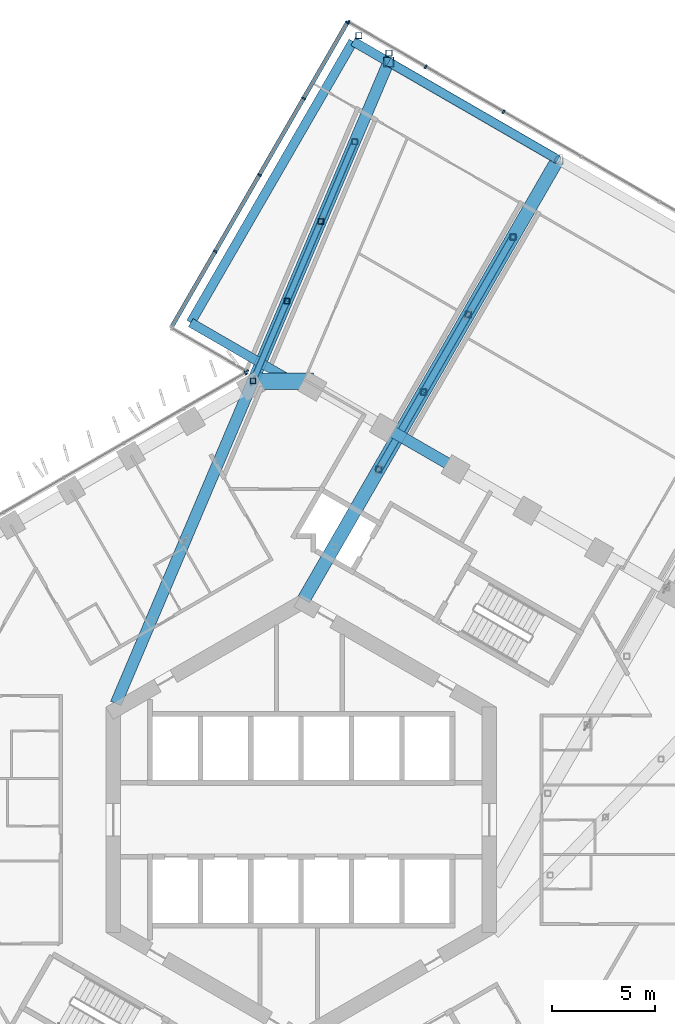
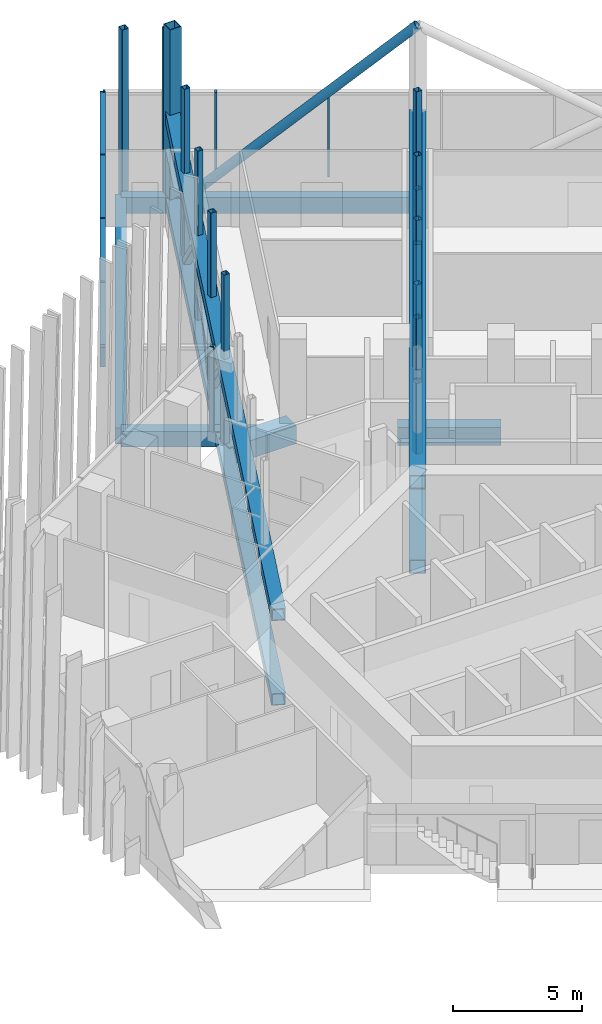
# One storey, part 8 of 31: 40 members, 6 beams, 4 elements without a shape of their own.
"""IFC4 building model written with IfcOpenShell, lengths in metres."""

from ifc_helpers import new_model, si_unit, direction, frame, origin, origin_2d, place, context, subcontext, project, spatial, rectangle, hollow_rectangle, hollow_circle, extrude, material, layer, layer_set, material_profile, profile_set, type_object, element, aggregate, save


model = new_model("IFC4")

# Units and contexts
model_context = context("Model", 3, precision=1e-05, world=origin(), true_north=direction((0.0, 1.0)))
body_context = subcontext(model_context, "Body", "Model", "MODEL_VIEW")
ifc_project = project(units=[si_unit("LENGTHUNIT", "METRE"), si_unit("AREAUNIT", "SQUARE_METRE"), si_unit("VOLUMEUNIT", "CUBIC_METRE"), si_unit("PLANEANGLEUNIT", "RADIAN"), si_unit("MASSUNIT", "GRAM", prefix="KILO")], contexts=[model_context])

# Site, building, storey
site_placement = place(None, origin())
site = spatial("IfcSite", under=ifc_project, at=site_placement, CompositionType="ELEMENT")
building_placement = place(site_placement, origin())
building = spatial("IfcBuilding", under=site, at=building_placement, Name="Ayvan Gate Tower", CompositionType="ELEMENT")
storey_placement = place(building_placement, frame((0.0, 0.0, 135.89990234375)))
storey = spatial("IfcBuildingStorey", under=building, at=storey_placement, Name="L36", CompositionType="ELEMENT", Elevation=135.89990234375)

# Beam
ifc_material_1 = material(Name="Concrete C40/50", Category="concrete")
ifc_material_profile_1 = material_profile(ifc_material_1, rectangle(XDim=0.800048828125, YDim=0.85009765625, at=origin_2d()), Name="RC 800x850")
ifc_profile_set_1 = profile_set([ifc_material_profile_1], Name="Concrete C40/50")
beam_type_1 = type_object("IfcBeamType", Name="Corner spandrel beam RC 800x850 C40/50", PredefinedType="BEAM", material=ifc_profile_set_1)
beam_1_placement = place(storey_placement, frame((0.5927734375, 21.330078125, -0.824951171875), z_axis=(-1.0, 0.0, 0.0), x_axis=(0.0, -1.0, 0.0)))
element("IfcBeam", 1, at=beam_1_placement, inside=storey, type_object=beam_type_1, Name="SB-L36-12", PredefinedType="BEAM", context=body_context, shape_type="SweptSolid", body=[
    extrude(rectangle(XDim=0.800048828125, YDim=0.85009765625, at=origin_2d()), origin(), (0.0, 0.0, 1.0), 3.0),
])

# Members
ifc_material_2 = material(Name="Steel S460NH", Category="steel")
ifc_material_profile_2 = material_profile(ifc_material_2, hollow_rectangle(XDim=0.300048828125, YDim=0.300048828125, WallThickness=0.01611328125, InnerFilletRadius=0.01611328125, OuterFilletRadius=0.02392578125, at=origin_2d()), Name="RHS 300x300x16")
ifc_profile_set_2 = profile_set([ifc_material_profile_2], Name="Steel S460NH")
member_type_1 = type_object("IfcMemberType", Name="Sky bar corner post B3 RHS 300x300x16", PredefinedType="POST", material=ifc_profile_set_2)
for number, where, z_axis, x_axis, name in (
    (2, (2.802734375, 38.154296875, -1.14990234375), (0.0, 0.0, 1.0), (1.0, 0.0, 0.0), "SBX3-C-P-1"),
    (3, (4.27490234375, 37.30419921875, -1.14990234375), (0.0, 0.0, 1.0), (1.0, 0.0, 0.0), "SBX3-C-P-2"),
):
    element("IfcMember", number, at=place(storey_placement, frame(where, z_axis=z_axis, x_axis=x_axis)), inside=storey, type_object=member_type_1, Name=name, PredefinedType="POST", context=body_context, shape_type="SweptSolid", body=[
        extrude(hollow_rectangle(XDim=0.300048828125, YDim=0.300048828125, WallThickness=0.01611328125, InnerFilletRadius=0.01611328125, OuterFilletRadius=0.02392578125, at=origin_2d()), origin(), (0.0, 0.0, 1.0), 8.375),
    ])

# Beams
ifc_material_profile_3 = material_profile(ifc_material_1, rectangle(XDim=0.449951171875, YDim=0.75, at=origin_2d()), Name="RC 450x750")
ifc_profile_set_3 = profile_set([ifc_material_profile_3], Name="Concrete C40/50")
beam_type_2 = type_object("IfcBeamType", Name="Sky bar edge beam RC 450x750 C40/50", PredefinedType="BEAM", material=ifc_profile_set_3)
beam_2_placement = place(storey_placement, frame((-0.608154296875, 21.4404296875, -0.77490234375), z_axis=(-0.866014926636, 0.500018146515, 0.0), x_axis=(-0.500018146515, -0.866014926636, 0.0)))
element("IfcBeam", 4, at=beam_2_placement, inside=storey, type_object=beam_type_2, Name="EB-B3-L36-1", PredefinedType="BEAM", context=body_context, shape_type="SweptSolid", body=[
    extrude(rectangle(XDim=0.449951171875, YDim=0.75, at=origin_2d()), origin(), (0.0, 0.0, 1.0), 5.503173828125),
])
beam_3_placement = place(storey_placement, frame((-5.3740234375, 24.192138671875, -0.77490234375), z_axis=(0.500009581873, 0.866019871617, 0.0), x_axis=(-0.866019871617, 0.500009581873, 0.0)))
element("IfcBeam", 5, at=beam_3_placement, inside=storey, type_object=beam_type_2, Name="EB-B3-L36-2", PredefinedType="BEAM", context=body_context, shape_type="SweptSolid", body=[
    extrude(rectangle(XDim=0.449951171875, YDim=0.75, at=origin_2d()), origin(), (0.0, 0.0, 1.0), 15.800048828125),
])
beam_4_placement = place(storey_placement, frame((2.526123046875, 37.875244140625, -0.77490234375), z_axis=(0.866010750942, -0.50002537861, 0.0), x_axis=(0.50002537861, 0.866010750942, 0.0)))
element("IfcBeam", 6, at=beam_4_placement, inside=storey, type_object=beam_type_2, Name="EB-B3-L36-3", PredefinedType="BEAM", context=body_context, shape_type="SweptSolid", body=[
    extrude(rectangle(XDim=0.449951171875, YDim=0.75, at=origin_2d()), origin(), (0.0, 0.0, 1.0), 2.0),
])
beam_5_placement = place(storey_placement, frame((4.258056640625, 36.875244140625, -0.77490234375), z_axis=(0.86602681393, -0.499997557548, 0.0), x_axis=(0.499997557548, 0.86602681393, 0.0)))
element("IfcBeam", 7, at=beam_5_placement, inside=storey, type_object=beam_type_2, Name="EB-B3-L36-4", PredefinedType="BEAM", context=body_context, shape_type="SweptSolid", body=[
    extrude(rectangle(XDim=0.449951171875, YDim=0.75, at=origin_2d()), origin(), (0.0, 0.0, 1.0), 9.5),
])

# Members
ifc_material_profile_4 = material_profile(ifc_material_2, hollow_rectangle(XDim=0.300048828125, YDim=0.300048828125, WallThickness=0.02001953125, InnerFilletRadius=0.02001953125, OuterFilletRadius=0.030029296875, at=origin_2d()), Name="RHS 300x300x20")
ifc_profile_set_4 = profile_set([ifc_material_profile_4], Name="Steel S460NH")
member_type_2 = type_object("IfcMemberType", Name="Sky bar end truss brace B3 RHS 300x300x20", PredefinedType="BRACE", material=ifc_profile_set_4)
member_1_placement = place(storey_placement, frame((-2.341064453125, 21.3564453125, 3.275146484375), z_axis=(0.28389403237, 0.667600467953, -0.688268692861), x_axis=(-0.92024960268, 0.391331916367, 0.0)))
element("IfcMember", 8, at=member_1_placement, inside=storey, type_object=member_type_2, Name="SBT3-4-D-5", PredefinedType="BRACE", context=body_context, shape_type="SweptSolid", body=[
    extrude(hollow_rectangle(XDim=0.300048828125, YDim=0.300048828125, WallThickness=0.02001953125, InnerFilletRadius=0.02001953125, OuterFilletRadius=0.030029296875, at=origin_2d()), origin(), (0.0, 0.0, 1.0), 5.811767578125),
])
for number, where, z_axis, x_axis, name in (
    (9, (-0.691162109375, 25.236328125, -0.724853515625), (0.283863369795, 0.667585142727, 0.688296204042), (-0.920261588777, 0.391303728863, 0.0), "SBT3-4-D-6"),
    (10, (0.95849609375, 29.115966796875, 3.275146484375), (0.283901994249, 0.66757718121, -0.688287995529), (-0.920240734136, 0.391352770832, 0.0), "SBT3-4-D-7"),
):
    element("IfcMember", number, at=place(storey_placement, frame(where, z_axis=z_axis, x_axis=x_axis)), inside=storey, type_object=member_type_2, Name=name, PredefinedType="BRACE", context=body_context, shape_type="SweptSolid", body=[
        extrude(hollow_rectangle(XDim=0.300048828125, YDim=0.300048828125, WallThickness=0.02001953125, InnerFilletRadius=0.02001953125, OuterFilletRadius=0.030029296875, at=origin_2d()), origin(), (0.0, 0.0, 1.0), 5.8115234375),
    ])
ifc_material_3 = material(Name="Steel S460ML", Category="steel")
ifc_material_profile_5 = material_profile(ifc_material_3, hollow_rectangle(XDim=0.56005859375, YDim=0.56005859375, WallThickness=0.034912109375, at=origin_2d()), Name="BOX 560x560x35")
ifc_profile_set_5 = profile_set([ifc_material_profile_5], Name="Steel S460ML")
member_type_3 = type_object("IfcMemberType", Name="Sky bar end truss chord B3 BOX 560x560x35", PredefinedType="CHORD", material=ifc_profile_set_5)
for number, where, z_axis, x_axis, name in (
    (11, (-9.015625, 5.660400390625, -0.724853515625), (0.391324744025, 0.920252652652, 0.0), (-0.920252652652, 0.391324744025, 0.0), "SBT3-4-BC-1"),
    (12, (-9.015625, 5.660400390625, 3.275146484375), (0.391324744025, 0.920252652652, 0.0), (-0.920252652652, 0.391324744025, 0.0), "SBT3-4-TC-1"),
):
    element("IfcMember", number, at=place(storey_placement, frame(where, z_axis=z_axis, x_axis=x_axis)), inside=storey, type_object=member_type_3, Name=name, PredefinedType="CHORD", context=body_context, shape_type="SweptSolid", body=[
        extrude(hollow_rectangle(XDim=0.56005859375, YDim=0.56005859375, WallThickness=0.034912109375, at=origin_2d()), origin(), (0.0, 0.0, 1.0), 33.919921875),
    ])
ifc_material_profile_6 = material_profile(ifc_material_2, hollow_rectangle(XDim=0.27001953125, YDim=0.27001953125, WallThickness=0.01611328125, InnerFilletRadius=0.01611328125, OuterFilletRadius=0.02392578125, at=origin_2d()), Name="RHS 270x270x16")
ifc_profile_set_6 = profile_set([ifc_material_profile_6], Name="Steel S460NH")
member_type_4 = type_object("IfcMemberType", Name="Sky bar end truss post B3 RHS 270x270x16", PredefinedType="POST", material=ifc_profile_set_6)
for number, where, z_axis, x_axis, name in (
    (13, (-2.341064453125, 21.3564453125, -0.39990234375), (0.0, 0.0, 1.0), (1.0, 0.0, 0.0), "SBT3-4-P-4"),
    (14, (-0.691162109375, 25.236328125, -0.39990234375), (0.0, 0.0, 1.0), (1.0, 0.0, 0.0), "SBT3-4-P-5"),
    (15, (0.95849609375, 29.115966796875, -0.39990234375), (0.0, 0.0, 1.0), (1.0, 0.0, 0.0), "SBT3-4-P-6"),
    (16, (2.6083984375, 32.99560546875, -0.39990234375), (0.0, 0.0, 1.0), (1.0, 0.0, 0.0), "SBT3-4-P-7"),
):
    element("IfcMember", number, at=place(storey_placement, frame(where, z_axis=z_axis, x_axis=x_axis)), inside=storey, type_object=member_type_4, Name=name, PredefinedType="POST", context=body_context, shape_type="SweptSolid", body=[
        extrude(hollow_rectangle(XDim=0.27001953125, YDim=0.27001953125, WallThickness=0.01611328125, InnerFilletRadius=0.01611328125, OuterFilletRadius=0.02392578125, at=origin_2d()), origin(), (0.0, 0.0, 1.0), 3.35009765625),
    ])
ifc_material_profile_7 = material_profile(ifc_material_3, hollow_rectangle(XDim=0.5, YDim=0.5, WallThickness=0.030029296875, at=origin_2d()), Name="BOX 500x500x30")
ifc_profile_set_7 = profile_set([ifc_material_profile_7], Name="Steel S460ML")
member_type_5 = type_object("IfcMemberType", Name="Sky bar end wall post BOX 500x500x30", PredefinedType="POST", material=ifc_profile_set_7)
member_2_placement = place(storey_placement, frame((4.258056640625, 36.875244140625, -1.0498046875), z_axis=(0.0, 0.0, 1.0), x_axis=(1.0, 0.0, 0.0)))
element("IfcMember", 17, at=member_2_placement, inside=storey, type_object=member_type_5, Name="EXO-B3-P4", PredefinedType="POST", context=body_context, shape_type="SweptSolid", body=[
    extrude(hollow_rectangle(XDim=0.5, YDim=0.5, WallThickness=0.030029296875, at=origin_2d()), origin(), (0.0, 0.0, 1.0), 8.64990234375),
])
ifc_material_profile_8 = material_profile(ifc_material_2, hollow_circle(Radius=0.203125, WallThickness=0.01611328125, at=origin_2d()), Name="CHS 406.4x16")
ifc_profile_set_8 = profile_set([ifc_material_profile_8], Name="Steel S460NH")
member_type_6 = type_object("IfcMemberType", Name="Sky bar exoskeleton brace CHS 406.4x16", PredefinedType="BRACE", material=ifc_profile_set_8)
member_3_placement = place(storey_placement, frame((4.258056640625, 36.875244140625, -1.0498046875), z_axis=(0.640354939408, -0.369706688659, 0.673247737417), x_axis=(0.499997557548, 0.86602681393, 0.0)))
element("IfcMember", 18, at=member_3_placement, inside=storey, type_object=member_type_6, Name="EXO-B3-D3B", PredefinedType="BRACE", context=body_context, shape_type="SweptSolid", body=[
    extrude(hollow_circle(Radius=0.203125, WallThickness=0.01611328125, at=origin_2d()), origin(), (0.0, 0.0, 1.0), 12.84814453125),
])
ifc_material_profile_9 = material_profile(ifc_material_2, hollow_rectangle(XDim=0.35009765625, YDim=0.35009765625, WallThickness=0.01611328125, InnerFilletRadius=0.01611328125, OuterFilletRadius=0.02392578125, at=origin_2d()), Name="RHS 350x350x16")
ifc_profile_set_9 = profile_set([ifc_material_profile_9], Name="Steel S460NH")
member_type_7 = type_object("IfcMemberType", Name="Sky bar truss brace B3 RHS 350x350x16", PredefinedType="BRACE", material=ifc_profile_set_9)
for number, where, z_axis, x_axis, name in (
    (19, (3.77978515625, 17.046630859375, 3.275146484375), (0.368133654755, 0.637688104451, -0.676632465729), (-0.866046423214, 0.499963591512, 0.0), "SBT3-3-D-3"),
    (20, (5.9560546875, 20.81640625, -0.724853515625), (0.368179051146, 0.637653903499, 0.676639997081), (-0.866008114662, 0.500029944444, 0.0), "SBT3-3-D-4"),
    (21, (8.132568359375, 24.5859375, 3.275146484375), (0.368133654755, 0.637688104451, -0.676632465729), (-0.866046423214, 0.499963591512, 0.0), "SBT3-3-D-5"),
):
    element("IfcMember", number, at=place(storey_placement, frame(where, z_axis=z_axis, x_axis=x_axis)), inside=storey, type_object=member_type_7, Name=name, PredefinedType="BRACE", context=body_context, shape_type="SweptSolid", body=[
        extrude(hollow_rectangle(XDim=0.35009765625, YDim=0.35009765625, WallThickness=0.01611328125, InnerFilletRadius=0.01611328125, OuterFilletRadius=0.02392578125, at=origin_2d()), origin(), (0.0, 0.0, 1.0), 5.91162109375),
    ])
ifc_material_profile_10 = material_profile(ifc_material_3, hollow_rectangle(XDim=0.64990234375, YDim=0.64990234375, WallThickness=0.0400390625, at=origin_2d()), Name="BOX 650x650x40")
ifc_profile_set_10 = profile_set([ifc_material_profile_10], Name="Steel S460ML")
member_type_8 = type_object("IfcMemberType", Name="Sky bar truss chord B3 BOX 650x650x40", PredefinedType="CHORD", material=ifc_profile_set_10)
for number, where, z_axis, x_axis, name in (
    (22, (0.12841796875, 10.722412109375, -0.724853515625), (0.500000083731, 0.866025355442, 0.0), (-0.866025355442, 0.500000083731, 0.0), "SBT3-3-BC-1"),
    (23, (0.12841796875, 10.722412109375, 3.275146484375), (0.500000083731, 0.866025355442, 0.0), (-0.866025355442, 0.500000083731, 0.0), "SBT3-3-TC-1"),
):
    element("IfcMember", number, at=place(storey_placement, frame(where, z_axis=z_axis, x_axis=x_axis)), inside=storey, type_object=member_type_8, Name=name, PredefinedType="CHORD", context=body_context, shape_type="SweptSolid", body=[
        extrude(hollow_rectangle(XDim=0.64990234375, YDim=0.64990234375, WallThickness=0.0400390625, at=origin_2d()), origin(), (0.0, 0.0, 1.0), 24.7138671875),
    ])
ifc_material_profile_11 = material_profile(ifc_material_2, hollow_rectangle(XDim=0.300048828125, YDim=0.300048828125, WallThickness=0.01611328125, InnerFilletRadius=0.01611328125, OuterFilletRadius=0.02392578125, at=origin_2d()), Name="RHS 300x300x16")
ifc_profile_set_11 = profile_set([ifc_material_profile_11], Name="Steel S460NH")
member_type_9 = type_object("IfcMemberType", Name="Sky bar truss post B3 RHS 300x300x16", PredefinedType="POST", material=ifc_profile_set_11)
for number, where, z_axis, x_axis, name in (
    (24, (3.77978515625, 17.046630859375, -0.39990234375), (0.0, 0.0, 1.0), (1.0, 0.0, 0.0), "SBT3-3-P-2"),
    (25, (5.9560546875, 20.81640625, -0.39990234375), (0.0, 0.0, 1.0), (1.0, 0.0, 0.0), "SBT3-3-P-3"),
    (26, (8.132568359375, 24.5859375, -0.39990234375), (0.0, 0.0, 1.0), (1.0, 0.0, 0.0), "SBT3-3-P-4"),
    (27, (10.308837890625, 28.355712890625, -0.39990234375), (0.0, 0.0, 1.0), (1.0, 0.0, 0.0), "SBT3-3-P-5"),
):
    element("IfcMember", number, at=place(storey_placement, frame(where, z_axis=z_axis, x_axis=x_axis)), inside=storey, type_object=member_type_9, Name=name, PredefinedType="POST", context=body_context, shape_type="SweptSolid", body=[
        extrude(hollow_rectangle(XDim=0.300048828125, YDim=0.300048828125, WallThickness=0.01611328125, InnerFilletRadius=0.01611328125, OuterFilletRadius=0.02392578125, at=origin_2d()), origin(), (0.0, 0.0, 1.0), 3.35009765625),
    ])
ifc_material_profile_12 = material_profile(ifc_material_2, hollow_rectangle(XDim=0.260009765625, YDim=0.260009765625, WallThickness=0.012451171875, InnerFilletRadius=0.012451171875, OuterFilletRadius=0.018798828125, at=origin_2d()), Name="RHS 260x260x12.5")
ifc_profile_set_12 = profile_set([ifc_material_profile_12], Name="Steel S460NH")
member_type_10 = type_object("IfcMemberType", Name="Sky bar upper post B3 RHS 260x260x12.5", PredefinedType="POST", material=ifc_profile_set_12)
for number, where, z_axis, x_axis, name in (
    (28, (3.77978515625, 17.046630859375, 3.60009765625), (0.0, 0.0, 1.0), (1.0, 0.0, 0.0), "SBT3-3-U-2"),
    (29, (5.9560546875, 20.81640625, 3.60009765625), (0.0, 0.0, 1.0), (1.0, 0.0, 0.0), "SBT3-3-U-3"),
    (30, (8.132568359375, 24.5859375, 3.60009765625), (0.0, 0.0, 1.0), (1.0, 0.0, 0.0), "SBT3-3-U-4"),
    (31, (10.308837890625, 28.355712890625, 3.60009765625), (0.0, 0.0, 1.0), (1.0, 0.0, 0.0), "SBT3-3-U-5"),
    (32, (-2.341064453125, 21.3564453125, 3.60009765625), (0.0, 0.0, 1.0), (1.0, 0.0, 0.0), "SBT3-4-U-4"),
    (33, (-0.691162109375, 25.236328125, 3.60009765625), (0.0, 0.0, 1.0), (1.0, 0.0, 0.0), "SBT3-4-U-5"),
    (34, (0.95849609375, 29.115966796875, 3.60009765625), (0.0, 0.0, 1.0), (1.0, 0.0, 0.0), "SBT3-4-U-6"),
    (35, (2.6083984375, 32.99560546875, 3.60009765625), (0.0, 0.0, 1.0), (1.0, 0.0, 0.0), "SBT3-4-U-7"),
):
    element("IfcMember", number, at=place(storey_placement, frame(where, z_axis=z_axis, x_axis=x_axis)), inside=storey, type_object=member_type_10, Name=name, PredefinedType="POST", context=body_context, shape_type="SweptSolid", body=[
        extrude(hollow_rectangle(XDim=0.260009765625, YDim=0.260009765625, WallThickness=0.012451171875, InnerFilletRadius=0.012451171875, OuterFilletRadius=0.018798828125, at=origin_2d()), origin(), (0.0, 0.0, 1.0), 4.0),
    ])

# Beam
ifc_material_profile_13 = material_profile(ifc_material_1, rectangle(XDim=0.550048828125, YDim=0.85009765625, at=origin_2d()), Name="RC 550x850")
ifc_profile_set_13 = profile_set([ifc_material_profile_13], Name="Concrete C40/50")
beam_type_3 = type_object("IfcBeamType", Name="Spandrel beam RC 550x850 C40/50", PredefinedType="BEAM", material=ifc_profile_set_13)
beam_6_placement = place(storey_placement, frame((7.5498046875, 17.093505859375, -0.824951171875), z_axis=(-0.866027683981, 0.499996050563, 0.0), x_axis=(-0.499996050563, -0.866027683981, 0.0)))
element("IfcBeam", 36, at=beam_6_placement, inside=storey, type_object=beam_type_3, Name="SB-L36-10", PredefinedType="BEAM", context=body_context, shape_type="SweptSolid", body=[
    extrude(rectangle(XDim=0.550048828125, YDim=0.85009765625, at=origin_2d()), origin(), (0.0, 0.0, 1.0), 4.0166015625),
])

# Curtain wall, member
ifc_material_4 = material(Name="Bronze anodised aluminium", Category="aluminium")
ifc_layer_1 = layer(ifc_material_4, 0.199951171875)
ifc_layer_set_1 = layer_set([ifc_layer_1], Name="Bronze anodised aluminium")
curtain_wall_type_1 = type_object("IfcCurtainWallType", Name="Stick curtain wall CW-1", PredefinedType="NOTDEFINED", material=ifc_layer_set_1)
curtain_wall_1_placement = place(storey_placement, origin())
curtain_wall_1 = element("IfcCurtainWall", 37, at=curtain_wall_1_placement, inside=storey, type_object=curtain_wall_type_1, Name="Stick curtain wall CW-1 L36", PredefinedType="NOTDEFINED")
ifc_material_profile_14 = material_profile(ifc_material_4, rectangle(XDim=0.199951171875, YDim=0.06005859375, at=origin_2d()), Name="Stick curtain wall CW-1 mullion 200 x 60")
ifc_profile_set_14 = profile_set([ifc_material_profile_14], Name="Bronze anodised aluminium")
member_type_11 = type_object("IfcMemberType", Name="Stick curtain wall CW-1 mullion 200 x 60", PredefinedType="MULLION", material=ifc_profile_set_14)
member_4_placement = place(storey_placement, frame((-2.7177734375, 21.7392578125, 0.0), z_axis=(0.0, 0.0, 1.0), x_axis=(-0.5, 0.866025403784, 0.0)))
member_4 = element("IfcMember", 38, at=member_4_placement, type_object=member_type_11, Name="CW-1 mullion 1", PredefinedType="MULLION", context=body_context, shape_type="SweptSolid", body=[
    extrude(rectangle(XDim=0.199951171875, YDim=0.06005859375, at=origin_2d()), origin(), (0.0, 0.0, 1.0), 4.0),
])
aggregate(curtain_wall_1, [member_4])

# Curtain wall, members
ifc_layer_2 = layer(ifc_material_4, 0.199951171875)
ifc_layer_set_2 = layer_set([ifc_layer_2], Name="Bronze anodised aluminium")
curtain_wall_type_2 = type_object("IfcCurtainWallType", Name="Stick curtain wall CW-4", PredefinedType="NOTDEFINED", material=ifc_layer_set_2)
curtain_wall_2_placement = place(storey_placement, origin())
curtain_wall_2 = element("IfcCurtainWall", 39, at=curtain_wall_2_placement, inside=storey, type_object=curtain_wall_type_2, Name="Stick curtain wall CW-4 L36", PredefinedType="NOTDEFINED")
ifc_material_profile_15 = material_profile(ifc_material_4, rectangle(XDim=0.199951171875, YDim=0.080078125, at=origin_2d()), Name="Stick curtain wall CW-4 mullion 200 x 80")
ifc_profile_set_15 = profile_set([ifc_material_profile_15], Name="Bronze anodised aluminium")
member_type_12 = type_object("IfcMemberType", Name="Stick curtain wall CW-4 mullion 200 x 80", PredefinedType="MULLION", material=ifc_profile_set_15)
member_5_placement = place(storey_placement, frame((9.852294921875, 34.45361328125, 0.0), z_axis=(0.0, 0.0, 1.0), x_axis=(0.5, 0.866025403784, 0.0)))
member_5 = element("IfcMember", 40, at=member_5_placement, type_object=member_type_12, Name="CW-4 mullion 8", PredefinedType="MULLION", context=body_context, shape_type="SweptSolid", body=[
    extrude(rectangle(XDim=0.199951171875, YDim=0.080078125, at=origin_2d()), origin(), (0.0, 0.0, 1.0), 4.0),
])
member_6_placement = place(storey_placement, frame((6.06103515625, 36.642578125, 0.0), z_axis=(0.0, 0.0, 1.0), x_axis=(0.5, 0.866025403784, 0.0)))
member_6 = element("IfcMember", 41, at=member_6_placement, type_object=member_type_12, Name="CW-4 mullion 9", PredefinedType="MULLION", context=body_context, shape_type="SweptSolid", body=[
    extrude(rectangle(XDim=0.199951171875, YDim=0.080078125, at=origin_2d()), origin(), (0.0, 0.0, 1.0), 4.0),
])
member_7_placement = place(storey_placement, frame((2.304443359375, 38.8115234375, 0.0), z_axis=(0.0, 0.0, 1.0), x_axis=(0.5, 0.866025403784, 0.0)))
member_7 = element("IfcMember", 42, at=member_7_placement, type_object=member_type_12, Name="CW-4 mullion 10", PredefinedType="MULLION", context=body_context, shape_type="SweptSolid", body=[
    extrude(rectangle(XDim=0.199951171875, YDim=0.080078125, at=origin_2d()), origin(), (0.0, 0.0, 1.0), 4.0),
])
aggregate(curtain_wall_2, [member_5, member_6, member_7])

curtain_wall_3_placement = place(storey_placement, origin())
curtain_wall_3 = element("IfcCurtainWall", 43, at=curtain_wall_3_placement, inside=storey, type_object=curtain_wall_type_2, Name="Stick curtain wall CW-4 L36", PredefinedType="NOTDEFINED")
member_8_placement = place(storey_placement, frame((2.249755859375, 38.796875, 0.0), z_axis=(0.0, 0.0, 1.0), x_axis=(-0.866025403784, 0.5, 0.0)))
member_8 = element("IfcMember", 44, at=member_8_placement, type_object=member_type_12, Name="CW-4 mullion 1", PredefinedType="MULLION", context=body_context, shape_type="SweptSolid", body=[
    extrude(rectangle(XDim=0.199951171875, YDim=0.080078125, at=origin_2d()), origin(), (0.0, 0.0, 1.0), 4.0),
])
member_9_placement = place(storey_placement, frame((0.119873046875, 35.107666015625, 0.0), z_axis=(0.0, 0.0, 1.0), x_axis=(-0.866025403784, 0.5, 0.0)))
member_9 = element("IfcMember", 45, at=member_9_placement, type_object=member_type_12, Name="CW-4 mullion 2", PredefinedType="MULLION", context=body_context, shape_type="SweptSolid", body=[
    extrude(rectangle(XDim=0.199951171875, YDim=0.080078125, at=origin_2d()), origin(), (0.0, 0.0, 1.0), 4.0),
])
member_10_placement = place(storey_placement, frame((-2.0302734375, 31.383544921875, 0.0), z_axis=(0.0, 0.0, 1.0), x_axis=(-0.866025403784, 0.5, 0.0)))
member_10 = element("IfcMember", 46, at=member_10_placement, type_object=member_type_12, Name="CW-4 mullion 3", PredefinedType="MULLION", context=body_context, shape_type="SweptSolid", body=[
    extrude(rectangle(XDim=0.199951171875, YDim=0.080078125, at=origin_2d()), origin(), (0.0, 0.0, 1.0), 4.0),
])
member_11_placement = place(storey_placement, frame((-4.18017578125, 27.65966796875, 0.0), z_axis=(0.0, 0.0, 1.0), x_axis=(-0.866025403784, 0.5, 0.0)))
member_11 = element("IfcMember", 47, at=member_11_placement, type_object=member_type_12, Name="CW-4 mullion 4", PredefinedType="MULLION", context=body_context, shape_type="SweptSolid", body=[
    extrude(rectangle(XDim=0.199951171875, YDim=0.080078125, at=origin_2d()), origin(), (0.0, 0.0, 1.0), 4.0),
])

# Curtain wall, member
curtain_wall_4_placement = place(storey_placement, origin())
curtain_wall_4 = element("IfcCurtainWall", 48, at=curtain_wall_4_placement, inside=storey, type_object=curtain_wall_type_2, Name="Stick curtain wall CW-4 L36", PredefinedType="NOTDEFINED")
member_12_placement = place(storey_placement, frame((-2.630615234375, 21.7998046875, 0.0), z_axis=(0.0, 0.0, 1.0), x_axis=(-0.5, -0.866025403784, 0.0)))
member_12 = element("IfcMember", 49, at=member_12_placement, type_object=member_type_12, Name="CW-4 mullion 2", PredefinedType="MULLION", context=body_context, shape_type="SweptSolid", body=[
    extrude(rectangle(XDim=0.199951171875, YDim=0.080078125, at=origin_2d()), origin(), (0.0, 0.0, 1.0), 4.0),
])
aggregate(curtain_wall_4, [member_12])

# Member
ifc_material_profile_16 = material_profile(ifc_material_4, rectangle(XDim=0.199951171875, YDim=0.139892578125, at=origin_2d()), Name="Stick curtain wall CW-4 transom 200 x 140")
ifc_profile_set_16 = profile_set([ifc_material_profile_16], Name="Bronze anodised aluminium")
member_type_13 = type_object("IfcMemberType", Name="Stick curtain wall CW-4 transom 200 x 140", PredefinedType="USERDEFINED", material=ifc_profile_set_16)
member_13_placement = place(storey_placement, frame((2.249755859375, 38.796875, 3.93017578125), z_axis=(-0.499990325971, -0.866030989016, 0.0), x_axis=(0.866030989016, -0.499990325971, 0.0)))
member_13 = element("IfcMember", 50, at=member_13_placement, type_object=member_type_13, Name="CW-4 transom 1", ObjectType="TRANSOM", PredefinedType="USERDEFINED", context=body_context, shape_type="SweptSolid", body=[
    extrude(rectangle(XDim=0.199951171875, YDim=0.139892578125, at=origin_2d()), origin(), (0.0, 0.0, 1.0), 17.119873046875),
])

aggregate(curtain_wall_3, [member_8, member_9, member_10, member_11, member_13])

save(model, "model.ifc")
